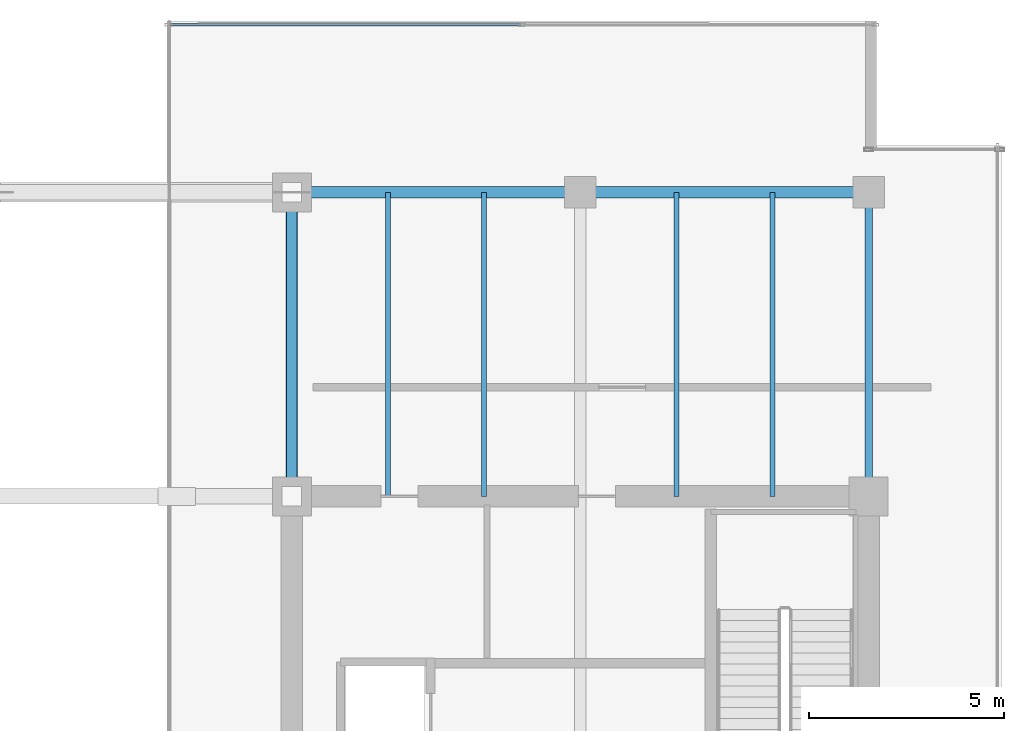
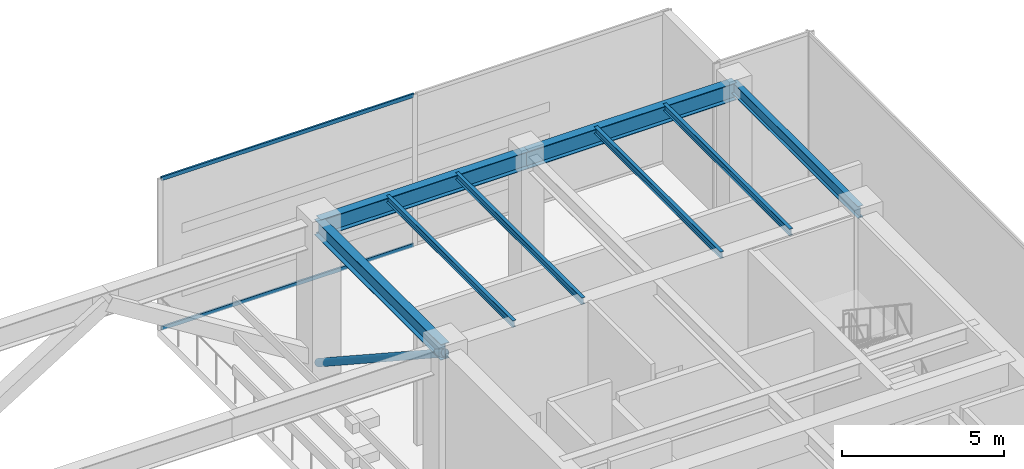
# One storey, part 17 of 30: 8 beams, 3 members, 1 element without a shape of its own.
"""IFC4 building model written with IfcOpenShell, lengths in metres."""

import ifcopenshell
import ifcopenshell.guid

model = None  # the IFC model being written
_history = None  # IfcOwnerHistory: only IFC2X3 demands one
_inside = {}  # id of a spatial element -> (the spatial element, [elements in it])
_under = {}  # id of a project, library or spatial element -> (it, [spatial elements below it])
_declared = {}  # id of a project -> (the project, [libraries it declares])
_typed = {}  # id of a type object -> (the type object, [elements of that type])
_made_of = {}  # id of a material, layer set ... -> (it, [elements and type objects made of it])


def new_model(schema):
    """Start an empty IFC model of exactly this schema.

    Asked for "IFC4X3", IfcOpenShell would pick the latest addendum, in which some entities
    have other attributes; the version numbers below select the first issue.
    IFC2X3 requires an IfcOwnerHistory on every rooted entity: one is made here for all.
    """
    global model, _history
    if schema == "IFC4X3":
        model = ifcopenshell.file(schema_version=(4, 3, 0, 0))
    else:
        model = ifcopenshell.file(schema=schema)
    _inside.clear()
    _under.clear()
    _declared.clear()
    _typed.clear()
    _made_of.clear()
    _history = None
    if model.schema == "IFC2X3":
        org = make("IfcOrganization", Name="unknown")
        user = make(
            "IfcPersonAndOrganization",
            ThePerson=make("IfcPerson", FamilyName="unknown"),
            TheOrganization=org,
        )
        app = make(
            "IfcApplication",
            ApplicationDeveloper=org,
            Version="unknown",
            ApplicationFullName="unknown",
            ApplicationIdentifier="unknown",
        )
        _history = make(
            "IfcOwnerHistory",
            OwningUser=user,
            OwningApplication=app,
            ChangeAction="ADDED",
            CreationDate=0,
        )
    return model


def make(cls, **values):
    """One entity of the class cls with the attributes given. An attribute that is None is left unset."""
    return model.create_entity(
        cls, **{name: value for name, value in values.items() if value is not None}
    )


def rooted(cls, **values):
    """An entity with a GlobalId (a new one), such as an element, a storey or a relation."""
    return make(cls, GlobalId=ifcopenshell.guid.new(), OwnerHistory=_history, **values)


def si_unit(unit_type, name, prefix=None):
    """IfcSIUnit, for example si_unit("LENGTHUNIT", "METRE", prefix="MILLI")."""
    return make("IfcSIUnit", UnitType=unit_type, Prefix=prefix, Name=name)


def assignment(units):
    """IfcUnitAssignment: the units of a project."""
    return None if units is None else make("IfcUnitAssignment", Units=units)


def point(xyz):
    """IfcCartesianPoint."""
    return None if xyz is None else make("IfcCartesianPoint", Coordinates=xyz)


def direction(xyz):
    """IfcDirection."""
    return None if xyz is None else make("IfcDirection", DirectionRatios=xyz)


def frame(location, z_axis=None, x_axis=None):
    """IfcAxis2Placement3D, a coordinate frame: its origin and axes. An axis left out is left unset."""
    return make(
        "IfcAxis2Placement3D",
        Location=point(location),
        Axis=direction(z_axis),
        RefDirection=direction(x_axis),
    )


def frame_2d(location, x_axis=None):
    """IfcAxis2Placement2D, a coordinate frame in the plane: its origin and x axis."""
    return make(
        "IfcAxis2Placement2D", Location=point(location), RefDirection=direction(x_axis)
    )


def origin():
    """The frame at (0, 0, 0) with its axes left unset."""
    return frame((0.0, 0.0, 0.0))


def origin_2d():
    """The frame at (0, 0) in the plane with its x axis left unset."""
    return frame_2d((0.0, 0.0))


def place(relative_to, where):
    """IfcLocalPlacement: puts the frame where relative to a parent placement (None: the world)."""
    return make(
        "IfcLocalPlacement", PlacementRelTo=relative_to, RelativePlacement=where
    )


def context(
    kind, dimensions, precision=None, world=None, true_north=None, identifier=None
):
    """IfcGeometricRepresentationContext, for example the 3D "Model" context."""
    return make(
        "IfcGeometricRepresentationContext",
        ContextIdentifier=identifier,
        ContextType=kind,
        CoordinateSpaceDimension=dimensions,
        Precision=precision,
        WorldCoordinateSystem=world,
        TrueNorth=true_north,
    )


def subcontext(parent, identifier, kind, view, scale=None):
    """IfcGeometricRepresentationSubContext, for example "Body" below "Model"."""
    return make(
        "IfcGeometricRepresentationSubContext",
        ContextIdentifier=identifier,
        ContextType=kind,
        ParentContext=parent,
        TargetScale=scale,
        TargetView=view,
    )


def project(units=None, contexts=None):
    """IfcProject with its units and contexts."""
    return rooted(
        "IfcProject",
        Name="project",
        RepresentationContexts=contexts,
        UnitsInContext=assignment(units),
    )


def spatial(cls, under=None, at=None, **own):
    """A site, building, storey or space (cls), placed at a placement, below another one or the project."""
    s = rooted(cls, ObjectPlacement=at, **own)
    if under is not None:
        _under.setdefault(under.id(), (under, []))[1].append(s)
    return s


def profile(cls, at=None, kind="AREA", **sizes):
    """A parametric profile (cls). Its sizes go by their IFC names, for example OverallWidth=200.0."""
    return make(cls, ProfileType=kind, Position=at, **sizes)


def hollow_rectangle(**sizes):
    """IfcRectangleHollowProfileDef."""
    return profile("IfcRectangleHollowProfileDef", **sizes)


def hollow_circle(**sizes):
    """IfcCircleHollowProfileDef."""
    return profile("IfcCircleHollowProfileDef", **sizes)


def i_section(**sizes):
    """IfcIShapeProfileDef."""
    return profile("IfcIShapeProfileDef", **sizes)


def extrude(swept, where, along, depth):
    """IfcExtrudedAreaSolid: the profile swept, set in the frame where, extruded along a direction by depth."""
    return make(
        "IfcExtrudedAreaSolid",
        SweptArea=swept,
        Position=where,
        ExtrudedDirection=direction(along),
        Depth=depth,
    )


def shape(context_of_items, identifier, shape_type, items):
    """IfcShapeRepresentation: the items that make up one representation, for example the "Body"."""
    return make(
        "IfcShapeRepresentation",
        ContextOfItems=context_of_items,
        RepresentationIdentifier=identifier,
        RepresentationType=shape_type,
        Items=items,
    )


def source(mapping_origin, context_of_items, identifier, shape_type, items):
    """IfcRepresentationMap: a shape defined once, which mapped items show again and again."""
    return make(
        "IfcRepresentationMap",
        MappingOrigin=mapping_origin,
        MappedRepresentation=shape(context_of_items, identifier, shape_type, items),
    )


def transform(
    local_origin,
    x_axis=None,
    y_axis=None,
    z_axis=None,
    scale=None,
    scale2=None,
    scale3=None,
    uniform=True,
):
    """IfcCartesianTransformationOperator3D, or its non-uniform kind. x_axis, y_axis, z_axis: its Axis1, 2, 3."""
    if uniform:
        return make(
            "IfcCartesianTransformationOperator3D",
            Axis1=direction(x_axis),
            Axis2=direction(y_axis),
            LocalOrigin=point(local_origin),
            Scale=scale,
            Axis3=direction(z_axis),
        )
    return make(
        "IfcCartesianTransformationOperator3DnonUniform",
        Axis1=direction(x_axis),
        Axis2=direction(y_axis),
        LocalOrigin=point(local_origin),
        Scale=scale,
        Axis3=direction(z_axis),
        Scale2=scale2,
        Scale3=scale3,
    )


def mapped(mapping_source, mapping_target):
    """IfcMappedItem: shows the shape of a source again, moved by a transform."""
    return make(
        "IfcMappedItem", MappingSource=mapping_source, MappingTarget=mapping_target
    )


def material(Name=None, Category=None):
    """IfcMaterial."""
    return make("IfcMaterial", Name=Name, Category=Category)


def layer(
    of_material, thickness, ventilated=None, Name=None, Category=None, Priority=None
):
    """IfcMaterialLayer: one layer of a wall or slab, of a material (None: an air gap)."""
    return make(
        "IfcMaterialLayer",
        Material=of_material,
        LayerThickness=thickness,
        IsVentilated=ventilated,
        Name=Name,
        Category=Category,
        Priority=Priority,
    )


def layer_set(layers, Name=None):
    """IfcMaterialLayerSet."""
    return make("IfcMaterialLayerSet", MaterialLayers=layers, LayerSetName=Name)


def material_profile(
    of_material, cross_section, Name=None, Category=None, Priority=None
):
    """IfcMaterialProfile: a cross section and its material."""
    return make(
        "IfcMaterialProfile",
        Name=Name,
        Material=of_material,
        Profile=cross_section,
        Priority=Priority,
        Category=Category,
    )


def profile_set(profiles, Name=None, composite=None):
    """IfcMaterialProfileSet."""
    return make(
        "IfcMaterialProfileSet",
        Name=Name,
        MaterialProfiles=profiles,
        CompositeProfile=composite,
    )


def made_of(thing, what):
    """Note that an element or type object is made of a material, layer set ...; save() writes the relation."""
    if what is not None:
        _made_of.setdefault(what.id(), (what, []))[1].append(thing)
    return thing


def type_object(cls, material=None, **own):
    """A type object (cls), such as IfcWallType, which elements share."""
    return made_of(rooted(cls, **own), material)


def type_shapes(of_type, sources):
    """Give a type object the sources (RepresentationMaps) that its elements show as mapped items."""
    of_type.RepresentationMaps = sources


def element(
    cls,
    number,
    at=None,
    inside=None,
    cuts=None,
    type_object=None,
    material=None,
    context=None,
    identifier="Body",
    shape_type=None,
    held_by="IfcProductDefinitionShape",
    body=None,
    shapes=None,
    **own,
):
    """One element of the class cls, such as IfcWall. Its Tag is "e" and its number.

    at: its placement. inside: the storey or other place that contains it. cuts: it is an
    opening in that element (IfcRelVoidsElement). A single representation is given by context,
    identifier, shape_type and body (its items); several are given by shapes. held_by: the class
    of the entity that holds the representations. save() writes the other relations.
    """
    e = rooted(cls, Tag="e%d" % number, ObjectPlacement=at, **own)
    if body is not None:
        shapes = [shape(context, identifier, shape_type, body)]
    if shapes is not None:
        e.Representation = make(held_by, Representations=shapes)
    if inside is not None:
        _inside.setdefault(inside.id(), (inside, []))[1].append(e)
    if cuts is not None:
        rooted(
            "IfcRelVoidsElement", RelatingBuildingElement=cuts, RelatedOpeningElement=e
        )
    if type_object is not None:
        _typed.setdefault(type_object.id(), (type_object, []))[1].append(e)
    return made_of(e, material)


def aggregate(whole, parts):
    """IfcRelAggregates: a whole, such as a stair, and the parts it consists of."""
    return rooted("IfcRelAggregates", RelatingObject=whole, RelatedObjects=parts)


def save(model, path):
    """Write the relations noted so far, then the file.

    IfcRelAggregates (storeys below a building ...), IfcRelContainedInSpatialStructure (elements
    in a storey), IfcRelDefinesByType, IfcRelAssociatesMaterial and IfcRelDeclares: one each for
    every whole, place, type object, material and project.
    """
    for whole, parts in _under.values():
        aggregate(whole, parts)
    for where, things in _inside.values():
        rooted(
            "IfcRelContainedInSpatialStructure",
            RelatedElements=things,
            RelatingStructure=where,
        )
    for kind, things in _typed.values():
        rooted("IfcRelDefinesByType", RelatedObjects=things, RelatingType=kind)
    for what, things in _made_of.values():
        rooted("IfcRelAssociatesMaterial", RelatedObjects=things, RelatingMaterial=what)
    for by, libraries in _declared.values():
        rooted("IfcRelDeclares", RelatingContext=by, RelatedDefinitions=libraries)
    model.write(path)


model = new_model("IFC4")

# Units and contexts
model_context = context("Model", 3, precision=1e-05, world=origin(), true_north=direction((0.0, 1.0)))
body_context = subcontext(model_context, "Body", "Model", "MODEL_VIEW")
ifc_project = project(units=[si_unit("LENGTHUNIT", "METRE"), si_unit("AREAUNIT", "SQUARE_METRE"), si_unit("VOLUMEUNIT", "CUBIC_METRE"), si_unit("PLANEANGLEUNIT", "RADIAN"), si_unit("MASSUNIT", "GRAM", prefix="KILO")], contexts=[model_context])

# Site, building, storey
site_placement = place(None, origin())
site = spatial("IfcSite", under=ifc_project, at=site_placement, CompositionType="ELEMENT")
building_placement = place(site_placement, origin())
building = spatial("IfcBuilding", under=site, at=building_placement, Name="Haelvirn Gate Laboratories", CompositionType="ELEMENT")
storey_placement = place(building_placement, frame((0.0, 0.0, 291.60009765625)))
storey = spatial("IfcBuildingStorey", under=building, at=storey_placement, Name="L70", CompositionType="ELEMENT", Elevation=291.60009765625)

# Beams
ifc_material_1 = material(Name="Steel SM355", Category="steel")
ifc_material_profile_1 = material_profile(ifc_material_1, i_section(OverallWidth=0.300048828125, OverallDepth=0.587890625, WebThickness=0.011962890625, FlangeThickness=0.02001953125, at=origin_2d()), Name="H-588x300x12x20")
ifc_profile_set_1 = profile_set([ifc_material_profile_1], Name="Steel SM355")
beam_type_1 = type_object("IfcBeamType", Name="BM-G-588", PredefinedType="BEAM", material=ifc_profile_set_1)
shared_shape_1 = source(origin(), body_context, "Body", "SweptSolid", [
    extrude(i_section(OverallWidth=0.300048828125, OverallDepth=0.587890625, WebThickness=0.011962890625, FlangeThickness=0.02001953125, at=origin_2d()), origin(), (0.0, 0.0, 1.0), 7.800048828125),
])
type_shapes(beam_type_1, [shared_shape_1])
beam_1_placement = place(storey_placement, frame((52.60009765625, 33.800048828125, 5.406005859375), z_axis=(0.0, 1.0, 0.0), x_axis=(-1.0, 0.0, 0.0)))
element("IfcBeam", 1, at=beam_1_placement, inside=storey, type_object=beam_type_1, Name="L70 Frame Girder X52.6 (33.8-41.6)", PredefinedType="BEAM", context=body_context, shape_type="MappedRepresentation", body=[
    mapped(shared_shape_1, transform((0.0, 0.0, 0.0), scale=1.0)),
])
ifc_material_profile_2 = material_profile(ifc_material_1, i_section(OverallWidth=0.300048828125, OverallDepth=0.64990234375, WebThickness=0.012939453125, FlangeThickness=0.02197265625, at=origin_2d()), Name="H-650x300x13x22")
ifc_profile_set_2 = profile_set([ifc_material_profile_2], Name="Steel SM355")
beam_type_2 = type_object("IfcBeamType", Name="BM-G-650", PredefinedType="BEAM", material=ifc_profile_set_2)
shared_shape_2 = source(origin(), body_context, "Body", "SweptSolid", [
    extrude(i_section(OverallWidth=0.300048828125, OverallDepth=0.64990234375, WebThickness=0.012939453125, FlangeThickness=0.02197265625, at=origin_2d()), origin(), (0.0, 0.0, 1.0), 7.39990234375),
])
type_shapes(beam_type_2, [shared_shape_2])
for number, where, z_axis, x_axis, name in (
    (2, (52.60009765625, 41.60009765625, 5.375), (1.0, 0.0, 0.0), (0.0, 1.0, 0.0), "L70 Primary Girder Y41.6 (52.6-60.0)"),
    (3, (60.0, 41.60009765625, 5.375), (1.0, 0.0, 0.0), (0.0, 1.0, 0.0), "L70 Primary Girder Y41.6 (60.0-67.4)"),
):
    element("IfcBeam", number, at=place(storey_placement, frame(where, z_axis=z_axis, x_axis=x_axis)), inside=storey, type_object=beam_type_2, Name=name, PredefinedType="BEAM", context=body_context, shape_type="MappedRepresentation", body=[
        mapped(shared_shape_2, transform((0.0, 0.0, 0.0), scale=1.0)),
    ])
ifc_material_profile_3 = material_profile(ifc_material_1, i_section(OverallWidth=0.199951171875, OverallDepth=0.449951171875, WebThickness=0.009033203125, FlangeThickness=0.013916015625, at=origin_2d()), Name="H-450x200x9x14")
ifc_profile_set_3 = profile_set([ifc_material_profile_3], Name="Steel SM355")
beam_type_3 = type_object("IfcBeamType", Name="BM-SP-450", PredefinedType="SPANDREL", material=ifc_profile_set_3)
shared_shape_3 = source(origin(), body_context, "Body", "SweptSolid", [
    extrude(i_section(OverallWidth=0.199951171875, OverallDepth=0.449951171875, WebThickness=0.009033203125, FlangeThickness=0.013916015625, at=origin_2d()), origin(), (0.0, 0.0, 1.0), 7.800048828125),
])
type_shapes(beam_type_3, [shared_shape_3])
beam_2_placement = place(storey_placement, frame((67.39990234375, 33.800048828125, 5.474853515625), z_axis=(0.0, 1.0, 0.0), x_axis=(-1.0, 0.0, 0.0)))
element("IfcBeam", 4, at=beam_2_placement, inside=storey, type_object=beam_type_3, Name="L70 Perimeter Spandrel X67.4 (33.8-41.6)", PredefinedType="SPANDREL", context=body_context, shape_type="MappedRepresentation", body=[
    mapped(shared_shape_3, transform((0.0, 0.0, 0.0), scale=1.0)),
])
ifc_material_profile_4 = material_profile(ifc_material_1, i_section(OverallWidth=0.125, OverallDepth=0.25, WebThickness=0.006103515625, FlangeThickness=0.009033203125, at=origin_2d()), Name="H-250x125x6x9")
ifc_profile_set_4 = profile_set([ifc_material_profile_4], Name="Steel SM355")
beam_type_4 = type_object("IfcBeamType", Name="BM-J-250", PredefinedType="JOIST", material=ifc_profile_set_4)
shared_shape_4 = source(origin(), body_context, "Body", "SweptSolid", [
    extrude(i_section(OverallWidth=0.125, OverallDepth=0.25, WebThickness=0.006103515625, FlangeThickness=0.009033203125, at=origin_2d()), origin(), (0.0, 0.0, 1.0), 7.800048828125),
])
type_shapes(beam_type_4, [shared_shape_4])
for number, where, z_axis, x_axis, name in (
    (5, (55.070068359375, 33.800048828125, 5.574951171875), (0.0, 1.0, 0.0), (-1.0, 0.0, 0.0), "L70 Composite Lab Joist North X55.07"),
    (6, (57.530029296875, 33.800048828125, 5.574951171875), (0.0, 1.0, 0.0), (-1.0, 0.0, 0.0), "L70 Composite Lab Joist North X57.53"),
    (7, (62.469970703125, 33.800048828125, 5.574951171875), (0.0, 1.0, 0.0), (-1.0, 0.0, 0.0), "L70 Composite Lab Joist North X62.47"),
    (8, (64.929931640625, 33.800048828125, 5.574951171875), (0.0, 1.0, 0.0), (-1.0, 0.0, 0.0), "L70 Composite Lab Joist North X64.93"),
):
    element("IfcBeam", number, at=place(storey_placement, frame(where, z_axis=z_axis, x_axis=x_axis)), inside=storey, type_object=beam_type_4, Name=name, PredefinedType="JOIST", context=body_context, shape_type="MappedRepresentation", body=[
        mapped(shared_shape_4, transform((0.0, 0.0, 0.0), scale=1.0)),
    ])

# Member
ifc_material_profile_5 = material_profile(ifc_material_1, hollow_circle(Radius=0.136474609375, WallThickness=0.011962890625, at=origin_2d()), Name="CHS-273x12")
ifc_profile_set_5 = profile_set([ifc_material_profile_5], Name="Steel SM355")
member_type_1 = type_object("IfcMemberType", Name="MEM-TURB-BRACE", PredefinedType="STRUT", material=ifc_profile_set_5)
shared_shape_5 = source(origin(), body_context, "Body", "SweptSolid", [
    extrude(hollow_circle(Radius=0.136474609375, WallThickness=0.011962890625, at=origin_2d()), origin(), (0.0, 0.0, 1.0), 9.3193359375),
])
type_shapes(member_type_1, [shared_shape_5])
member_1_placement = place(storey_placement, frame((52.60009765625, 33.800048828125, 5.349853515625), z_axis=(0.0, 0.836978382505, -0.547235952053), x_axis=(-1.0, 0.0, 0.0)))
element("IfcMember", 9, at=member_1_placement, inside=storey, type_object=member_type_1, Name="L70 Wind-Turbine Portal Primary Brace E-N", PredefinedType="STRUT", context=body_context, shape_type="MappedRepresentation", body=[
    mapped(shared_shape_5, transform((0.0, 0.0, 0.0), scale=1.0)),
])

# Curtain wall, members
ifc_material_2 = material(Name="Anodised bronze unitised aluminium & triple low-E glass", Category="aluminium")
ifc_layer = layer(ifc_material_2, 0.176025390625, Name="CW-SYS-4")
ifc_layer_set = layer_set([ifc_layer], Name="Anodised bronze unitised aluminium & triple low-E glass")
curtain_wall_type = type_object("IfcCurtainWallType", Name="CW-SYS-4", PredefinedType="NOTDEFINED", material=ifc_layer_set)
curtain_wall_placement = place(storey_placement, origin())
curtain_wall = element("IfcCurtainWall", 10, at=curtain_wall_placement, inside=storey, type_object=curtain_wall_type, Name="L70 Unitised Curtain Wall CW-L70-P1-E06-1", PredefinedType="NOTDEFINED")
ifc_material_3 = material(Name="Extruded aluminium 6063-T6 (anodised bronze)", Category="aluminium")
ifc_material_profile_6 = material_profile(ifc_material_3, hollow_rectangle(XDim=0.06494140625, YDim=0.139892578125, WallThickness=0.00390625, at=origin_2d()), Name="CWT-140x65x4")
ifc_profile_set_6 = profile_set([ifc_material_profile_6], Name="Extruded aluminium 6063-T6 (anodised bronze)")
member_type_2 = type_object("IfcMemberType", Name="CWT-T140", PredefinedType="USERDEFINED", material=ifc_profile_set_6)
shared_shape_6 = source(origin(), body_context, "Body", "SweptSolid", [
    extrude(hollow_rectangle(XDim=0.06494140625, YDim=0.139892578125, WallThickness=0.00390625, at=origin_2d()), origin(), (0.0, 0.0, 1.0), 8.9951171875),
])
type_shapes(member_type_2, [shared_shape_6])
member_2_placement = place(storey_placement, frame((49.469970703125, 45.89990234375, 0.032470703125), z_axis=(1.0, 0.0, 0.0), x_axis=(0.0, 1.0, 0.0)))
member_2 = element("IfcMember", 11, at=member_2_placement, type_object=member_type_2, Name="CW4 transom 1.1", ObjectType="TRANSOM", PredefinedType="USERDEFINED", context=body_context, shape_type="MappedRepresentation", body=[
    mapped(shared_shape_6, transform((0.0, 0.0, 0.0), scale=1.0)),
])
member_3_placement = place(storey_placement, frame((49.469970703125, 45.89990234375, 5.66748046875), z_axis=(1.0, 0.0, 0.0), x_axis=(0.0, 1.0, 0.0)))
member_3 = element("IfcMember", 12, at=member_3_placement, type_object=member_type_2, Name="CW4 transom 1.2", ObjectType="TRANSOM", PredefinedType="USERDEFINED", context=body_context, shape_type="MappedRepresentation", body=[
    mapped(shared_shape_6, transform((0.0, 0.0, 0.0), scale=1.0)),
])
aggregate(curtain_wall, [member_2, member_3])

save(model, "model.ifc")
